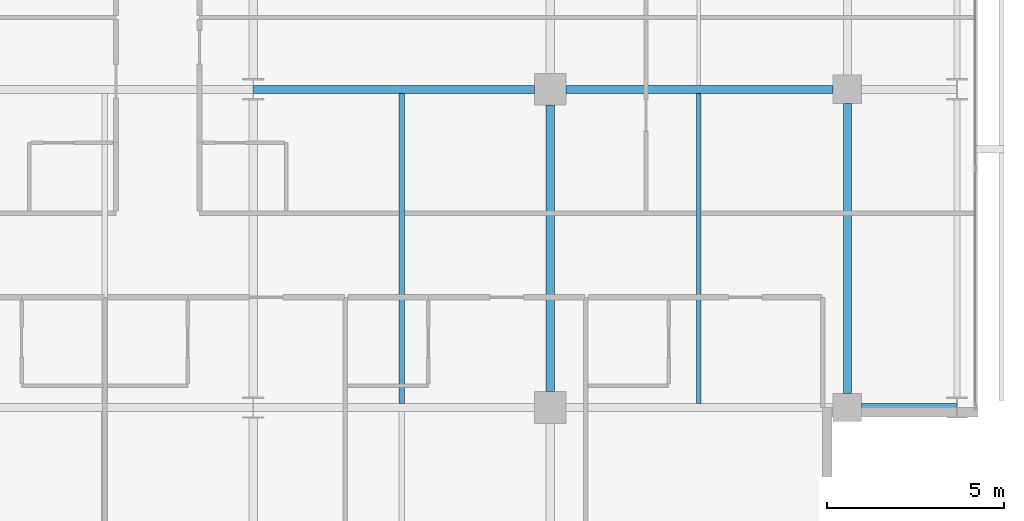
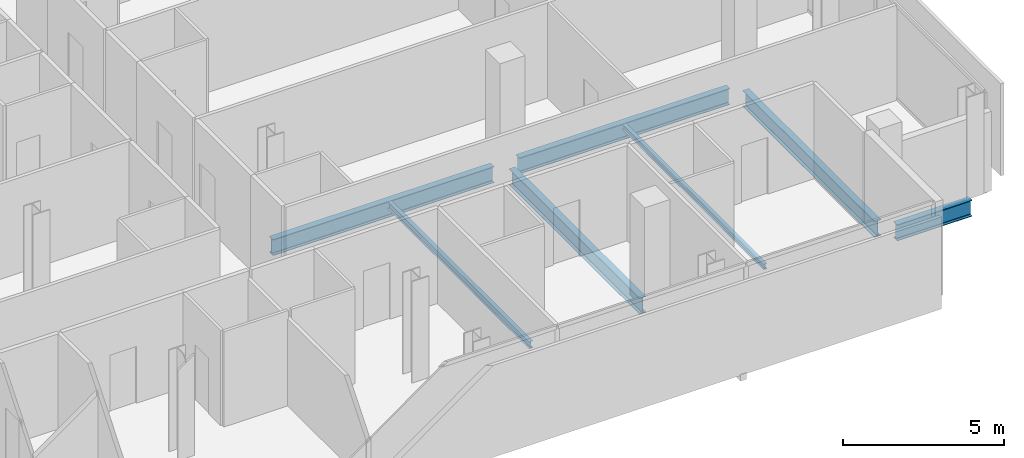
# One storey, part 14 of 33: 7 beams.
"""IFC4 building model written with IfcOpenShell, lengths in metres."""

from ifc_helpers import new_model, si_unit, direction, frame, origin, origin_2d, place, context, subcontext, project, spatial, i_section, extrude, material, material_profile, profile_set, type_object, element, save


model = new_model("IFC4")

# Units and contexts
model_context = context("Model", 3, precision=1e-05, world=origin(), true_north=direction((0.0, 1.0)))
body_context = subcontext(model_context, "Body", "Model", "MODEL_VIEW")
ifc_project = project(units=[si_unit("LENGTHUNIT", "METRE"), si_unit("AREAUNIT", "SQUARE_METRE"), si_unit("VOLUMEUNIT", "CUBIC_METRE"), si_unit("PLANEANGLEUNIT", "RADIAN"), si_unit("MASSUNIT", "GRAM", prefix="KILO")], contexts=[model_context])

# Site, building, storey
site_placement = place(None, origin())
site = spatial("IfcSite", under=ifc_project, at=site_placement, CompositionType="ELEMENT")
building_placement = place(site_placement, origin())
building = spatial("IfcBuilding", under=site, at=building_placement, Name="Maruvema Waterfront Hotel and Observation Tower", CompositionType="ELEMENT")
storey_placement = place(building_placement, frame((0.0, 0.0, 154.35009765625)))
storey = spatial("IfcBuildingStorey", under=building, at=storey_placement, Name="L37", CompositionType="ELEMENT", Elevation=154.35009765625)

# Beams
ifc_material_1 = material(Name="Steel ASTM A572 Grade 50", Category="steel")
ifc_material_profile_1 = material_profile(ifc_material_1, i_section(OverallWidth=0.22900390625, OverallDepth=0.612060546875, WebThickness=0.011962890625, FlangeThickness=0.01953125, FilletRadius=0.01806640625, at=origin_2d()), Name="W610x125.0")
ifc_profile_set_1 = profile_set([ifc_material_profile_1], Name="Steel ASTM A572 Grade 50")
beam_type_1 = type_object("IfcBeamType", Name="Primary Floor Girder W610x125.0", PredefinedType="BEAM", material=ifc_profile_set_1)
beam_1_placement = place(storey_placement, frame((59.199951171875, 9.0, -0.546142578125), z_axis=(1.0, 0.0, 0.0), x_axis=(0.0, 1.0, 0.0)))
element("IfcBeam", 1, at=beam_1_placement, inside=storey, type_object=beam_type_1, Name="L37 Floor Girder EW-10", PredefinedType="BEAM", context=body_context, shape_type="SweptSolid", body=[
    extrude(i_section(OverallWidth=0.22900390625, OverallDepth=0.612060546875, WebThickness=0.011962890625, FlangeThickness=0.01953125, FilletRadius=0.01806640625, at=origin_2d()), origin(), (0.0, 0.0, 1.0), 2.6875),
])
beam_2_placement = place(storey_placement, frame((42.012451171875, 18.0, -0.546142578125), z_axis=(1.0, 0.0, 0.0), x_axis=(0.0, 1.0, 0.0)))
element("IfcBeam", 2, at=beam_2_placement, inside=storey, type_object=beam_type_1, Name="L37 Floor Girder EW-15", PredefinedType="BEAM", context=body_context, shape_type="SweptSolid", body=[
    extrude(i_section(OverallWidth=0.22900390625, OverallDepth=0.612060546875, WebThickness=0.011962890625, FlangeThickness=0.01953125, FilletRadius=0.01806640625, at=origin_2d()), origin(), (0.0, 0.0, 1.0), 7.9375),
])
beam_3_placement = place(storey_placement, frame((50.85009765625, 18.0, -0.546142578125), z_axis=(1.0, 0.0, 0.0), x_axis=(0.0, 1.0, 0.0)))
element("IfcBeam", 3, at=beam_3_placement, inside=storey, type_object=beam_type_1, Name="L37 Floor Girder EW-16", PredefinedType="BEAM", context=body_context, shape_type="SweptSolid", body=[
    extrude(i_section(OverallWidth=0.22900390625, OverallDepth=0.612060546875, WebThickness=0.011962890625, FlangeThickness=0.01953125, FilletRadius=0.01806640625, at=origin_2d()), origin(), (0.0, 0.0, 1.0), 7.5498046875),
])
beam_4_placement = place(storey_placement, frame((50.39990234375, 9.449951171875, -0.546142578125), z_axis=(0.0, 1.0, 0.0), x_axis=(-1.0, 0.0, 0.0)))
element("IfcBeam", 4, at=beam_4_placement, inside=storey, type_object=beam_type_1, Name="L37 Floor Girder NS-21", PredefinedType="BEAM", context=body_context, shape_type="SweptSolid", body=[
    extrude(i_section(OverallWidth=0.22900390625, OverallDepth=0.612060546875, WebThickness=0.011962890625, FlangeThickness=0.01953125, FilletRadius=0.01806640625, at=origin_2d()), origin(), (0.0, 0.0, 1.0), 8.10009765625),
])
beam_5_placement = place(storey_placement, frame((58.800048828125, 9.39990234375, -0.546142578125), z_axis=(0.0, 1.0, 0.0), x_axis=(-1.0, 0.0, 0.0)))
element("IfcBeam", 5, at=beam_5_placement, inside=storey, type_object=beam_type_1, Name="L37 Floor Girder NS-25", PredefinedType="BEAM", context=body_context, shape_type="SweptSolid", body=[
    extrude(i_section(OverallWidth=0.22900390625, OverallDepth=0.612060546875, WebThickness=0.011962890625, FlangeThickness=0.01953125, FilletRadius=0.01806640625, at=origin_2d()), origin(), (0.0, 0.0, 1.0), 8.2001953125),
])
ifc_material_2 = material(Name="Steel ASTM A572 Grade 50", Category="steel")
ifc_material_profile_2 = material_profile(ifc_material_2, i_section(OverallWidth=0.133056640625, OverallDepth=0.20703125, WebThickness=0.005859375, FlangeThickness=0.00830078125, FilletRadius=0.010009765625, at=origin_2d()), Name="W200x26.6")
ifc_profile_set_2 = profile_set([ifc_material_profile_2], Name="Steel ASTM A572 Grade 50")
beam_type_2 = type_object("IfcBeamType", Name="Secondary Floor Joist W200x26.6", PredefinedType="JOIST", material=ifc_profile_set_2)
beam_6_placement = place(storey_placement, frame((54.60009765625, 9.114501953125, -0.343505859375), z_axis=(0.0, 1.0, 0.0), x_axis=(-1.0, 0.0, 0.0)))
element("IfcBeam", 6, at=beam_6_placement, inside=storey, type_object=beam_type_2, Name="L37 Secondary Floor Joist JS-11", PredefinedType="JOIST", context=body_context, shape_type="SweptSolid", body=[
    extrude(i_section(OverallWidth=0.133056640625, OverallDepth=0.20703125, WebThickness=0.005859375, FlangeThickness=0.00830078125, FilletRadius=0.010009765625, at=origin_2d()), origin(), (0.0, 0.0, 1.0), 8.77099609375),
])
ifc_material_3 = material(Name="Steel ASTM A572 Grade 50", Category="steel")
ifc_material_profile_3 = material_profile(ifc_material_3, i_section(OverallWidth=0.14599609375, OverallDepth=0.258056640625, WebThickness=0.006103515625, FlangeThickness=0.009033203125, FilletRadius=0.012939453125, at=origin_2d()), Name="W250x32.7")
ifc_profile_set_3 = profile_set([ifc_material_profile_3], Name="Steel ASTM A572 Grade 50")
beam_type_3 = type_object("IfcBeamType", Name="Secondary Floor Joist W250x32.7", PredefinedType="JOIST", material=ifc_profile_set_3)
beam_7_placement = place(storey_placement, frame((46.199951171875, 9.114501953125, -0.369140625), z_axis=(0.0, 1.0, 0.0), x_axis=(-1.0, 0.0, 0.0)))
element("IfcBeam", 7, at=beam_7_placement, inside=storey, type_object=beam_type_3, Name="L37 Secondary Floor Joist JS-10", PredefinedType="JOIST", context=body_context, shape_type="SweptSolid", body=[
    extrude(i_section(OverallWidth=0.14599609375, OverallDepth=0.258056640625, WebThickness=0.006103515625, FlangeThickness=0.009033203125, FilletRadius=0.012939453125, at=origin_2d()), origin(), (0.0, 0.0, 1.0), 8.77099609375),
])

save(model, "model.ifc")
